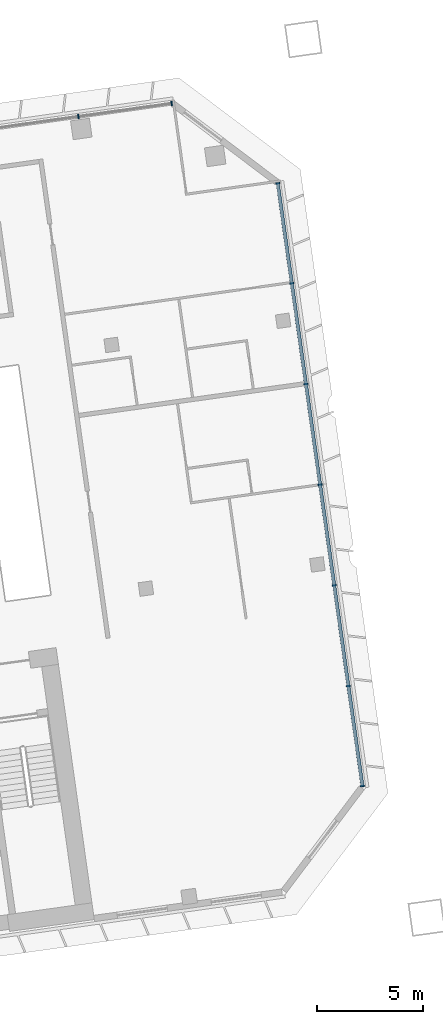
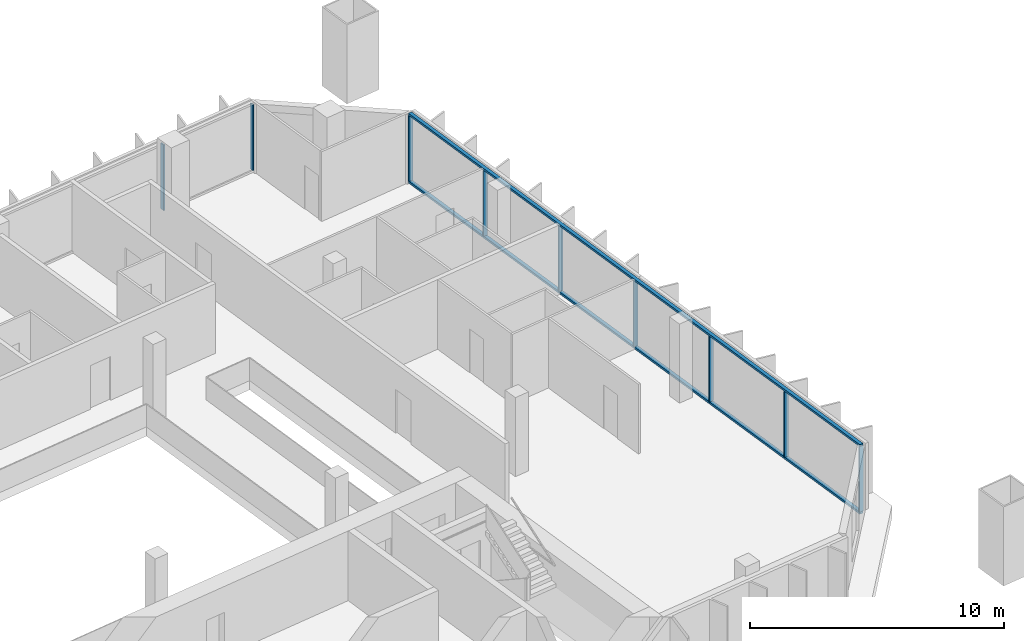
# One storey, part 11 of 26: 11 members, 2 elements without a shape of their own.
"""IFC4 building model written with IfcOpenShell, lengths in metres."""

from ifc_helpers import new_model, si_unit, direction, frame, origin, origin_2d, place, context, subcontext, project, spatial, rectangle, extrude, material, material_profile, profile_set, type_object, element, aggregate, save


model = new_model("IFC4")

# Units and contexts
model_context = context("Model", 3, precision=1e-05, world=origin(), true_north=direction((0.0, 1.0)))
body_context = subcontext(model_context, "Body", "Model", "MODEL_VIEW")
ifc_project = project(units=[si_unit("LENGTHUNIT", "METRE"), si_unit("AREAUNIT", "SQUARE_METRE"), si_unit("VOLUMEUNIT", "CUBIC_METRE"), si_unit("PLANEANGLEUNIT", "RADIAN"), si_unit("MASSUNIT", "GRAM", prefix="KILO")], contexts=[model_context])

# Site, building, storey
site_placement = place(None, origin())
site = spatial("IfcSite", under=ifc_project, at=site_placement, CompositionType="ELEMENT")
building_placement = place(site_placement, origin())
building = spatial("IfcBuilding", under=site, at=building_placement, Name="Mirante Cascada Hotel Towers", CompositionType="ELEMENT")
storey_placement = place(building_placement, frame((0.0, 0.0, 140.5)))
storey = spatial("IfcBuildingStorey", under=building, at=storey_placement, Name="L32", CompositionType="ELEMENT", Elevation=140.5)

# Curtain wall, members
ifc_material_1 = material(Name="Aluminium mullion and transom frame with clear laminated glass", Category="aluminium")
curtain_wall_type_1 = type_object("IfcCurtainWallType", Name="Ribbon curtain wall ECW1", PredefinedType="NOTDEFINED", material=ifc_material_1)
curtain_wall_1_placement = place(storey_placement, origin())
curtain_wall_1 = element("IfcCurtainWall", 1, at=curtain_wall_1_placement, inside=storey, type_object=curtain_wall_type_1, Name="Front ribbon wall T2 L32", PredefinedType="NOTDEFINED")
ifc_material_2 = material(Name="Anodised aluminium extrusion", Category="aluminium")
ifc_material_profile_1 = material_profile(ifc_material_2, rectangle(XDim=0.2, YDim=0.065, at=origin_2d()), Name="ECW1 MULLION 65x200")
ifc_profile_set_1 = profile_set([ifc_material_profile_1], Name="Anodised aluminium extrusion")
member_type_1 = type_object("IfcMemberType", Name="ECW1 mullion 65x200", PredefinedType="MULLION", material=ifc_profile_set_1)
member_1_placement = place(storey_placement, frame((94.126, 26.0476, 0.1), z_axis=(0.0, 0.0, 1.0), x_axis=(0.1391731, -0.9902681, 0.0)))
member_1 = element("IfcMember", 2, at=member_1_placement, type_object=member_type_1, Name="ECW1 mullion 1", PredefinedType="MULLION", context=body_context, shape_type="SweptSolid", body=[
    extrude(rectangle(XDim=0.2, YDim=0.065, at=origin_2d()), origin(), (0.0, 0.0, 1.0), 3.15),
])
member_2_placement = place(storey_placement, frame((89.7107, 25.427, 0.1), z_axis=(0.0, 0.0, 1.0), x_axis=(0.1391731, -0.9902681, 0.0)))
member_2 = element("IfcMember", 3, at=member_2_placement, type_object=member_type_1, Name="ECW1 mullion 2", PredefinedType="MULLION", context=body_context, shape_type="SweptSolid", body=[
    extrude(rectangle(XDim=0.2, YDim=0.065, at=origin_2d()), origin(), (0.0, 0.0, 1.0), 3.15),
])
aggregate(curtain_wall_1, [member_1, member_2])

ifc_material_3 = material(Name="Aluminium mullion and transom frame with clear laminated glass", Category="aluminium")
curtain_wall_type_2 = type_object("IfcCurtainWallType", Name="End ribbon curtain wall ECW2", PredefinedType="NOTDEFINED", material=ifc_material_3)
curtain_wall_2_placement = place(storey_placement, origin())
curtain_wall_2 = element("IfcCurtainWall", 4, at=curtain_wall_2_placement, inside=storey, type_object=curtain_wall_type_2, Name="Outer end wall T2 L32", PredefinedType="NOTDEFINED")
ifc_material_4 = material(Name="Anodised aluminium extrusion", Category="aluminium")
ifc_material_profile_2 = material_profile(ifc_material_4, rectangle(XDim=0.2, YDim=0.065, at=origin_2d()), Name="ECW2 MULLION 65x200")
ifc_profile_set_2 = profile_set([ifc_material_profile_2], Name="Anodised aluminium extrusion")
member_type_2 = type_object("IfcMemberType", Name="ECW2 mullion 65x200", PredefinedType="MULLION", material=ifc_profile_set_2)
member_3_placement = place(storey_placement, frame((103.1556, -6.2656, 0.1), z_axis=(0.0, 0.0, 1.0), x_axis=(-0.9902681, -0.1391731, 0.0)))
member_3 = element("IfcMember", 5, at=member_3_placement, type_object=member_type_2, Name="ECW2 mullion 1", PredefinedType="MULLION", context=body_context, shape_type="SweptSolid", body=[
    extrude(rectangle(XDim=0.2, YDim=0.065, at=origin_2d()), origin(), (0.0, 0.0, 1.0), 3.15),
])
member_4_placement = place(storey_placement, frame((102.4903, -1.532, 0.1), z_axis=(0.0, 0.0, 1.0), x_axis=(-0.9902681, -0.1391731, 0.0)))
member_4 = element("IfcMember", 6, at=member_4_placement, type_object=member_type_2, Name="ECW2 mullion 2", PredefinedType="MULLION", context=body_context, shape_type="SweptSolid", body=[
    extrude(rectangle(XDim=0.2, YDim=0.065, at=origin_2d()), origin(), (0.0, 0.0, 1.0), 3.15),
])
member_5_placement = place(storey_placement, frame((101.8205, 3.2338, 0.1), z_axis=(0.0, 0.0, 1.0), x_axis=(-0.9902681, -0.1391731, 0.0)))
member_5 = element("IfcMember", 7, at=member_5_placement, type_object=member_type_2, Name="ECW2 mullion 3", PredefinedType="MULLION", context=body_context, shape_type="SweptSolid", body=[
    extrude(rectangle(XDim=0.2, YDim=0.065, at=origin_2d()), origin(), (0.0, 0.0, 1.0), 3.15),
])
member_6_placement = place(storey_placement, frame((101.1508, 7.9996, 0.1), z_axis=(0.0, 0.0, 1.0), x_axis=(-0.9902681, -0.1391731, 0.0)))
member_6 = element("IfcMember", 8, at=member_6_placement, type_object=member_type_2, Name="ECW2 mullion 4", PredefinedType="MULLION", context=body_context, shape_type="SweptSolid", body=[
    extrude(rectangle(XDim=0.2, YDim=0.065, at=origin_2d()), origin(), (0.0, 0.0, 1.0), 3.15),
])
member_7_placement = place(storey_placement, frame((100.481, 12.7654, 0.1), z_axis=(0.0, 0.0, 1.0), x_axis=(-0.9902681, -0.1391731, 0.0)))
member_7 = element("IfcMember", 9, at=member_7_placement, type_object=member_type_2, Name="ECW2 mullion 5", PredefinedType="MULLION", context=body_context, shape_type="SweptSolid", body=[
    extrude(rectangle(XDim=0.2, YDim=0.065, at=origin_2d()), origin(), (0.0, 0.0, 1.0), 3.15),
])
member_8_placement = place(storey_placement, frame((99.8112, 17.5312, 0.1), z_axis=(0.0, 0.0, 1.0), x_axis=(-0.9902681, -0.1391731, 0.0)))
member_8 = element("IfcMember", 10, at=member_8_placement, type_object=member_type_2, Name="ECW2 mullion 6", PredefinedType="MULLION", context=body_context, shape_type="SweptSolid", body=[
    extrude(rectangle(XDim=0.2, YDim=0.065, at=origin_2d()), origin(), (0.0, 0.0, 1.0), 3.15),
])
member_9_placement = place(storey_placement, frame((99.1459, 22.2648, 0.1), z_axis=(0.0, 0.0, 1.0), x_axis=(-0.9902681, -0.1391731, 0.0)))
member_9 = element("IfcMember", 11, at=member_9_placement, type_object=member_type_2, Name="ECW2 mullion 7", PredefinedType="MULLION", context=body_context, shape_type="SweptSolid", body=[
    extrude(rectangle(XDim=0.2, YDim=0.065, at=origin_2d()), origin(), (0.0, 0.0, 1.0), 3.15),
])
ifc_material_5 = material(Name="Anodised aluminium extrusion", Category="aluminium")
ifc_material_profile_3 = material_profile(ifc_material_5, rectangle(XDim=0.16, YDim=0.1, at=origin_2d()), Name="ECW2 TRANSOM 100x160")
ifc_profile_set_3 = profile_set([ifc_material_profile_3], Name="Anodised aluminium extrusion")
member_type_3 = type_object("IfcMemberType", Name="ECW2 transom 100x160", PredefinedType="USERDEFINED", material=ifc_profile_set_3)
member_10_placement = place(storey_placement, frame((103.1601, -6.2978, 0.05), z_axis=(-0.1391723, 0.9902682, 0.0), x_axis=(-0.9902682, -0.1391723, 0.0)))
member_10 = element("IfcMember", 12, at=member_10_placement, type_object=member_type_3, Name="ECW2 sill transom", ObjectType="TRANSOM", PredefinedType="USERDEFINED", context=body_context, shape_type="SweptSolid", body=[
    extrude(rectangle(XDim=0.16, YDim=0.1, at=origin_2d()), origin(), (0.0, 0.0, 1.0), 28.8757),
])
member_11_placement = place(storey_placement, frame((103.1601, -6.2978, 3.3), z_axis=(-0.1391723, 0.9902682, 0.0), x_axis=(-0.9902682, -0.1391723, 0.0)))
member_11 = element("IfcMember", 13, at=member_11_placement, type_object=member_type_3, Name="ECW2 head transom", ObjectType="TRANSOM", PredefinedType="USERDEFINED", context=body_context, shape_type="SweptSolid", body=[
    extrude(rectangle(XDim=0.16, YDim=0.1, at=origin_2d()), origin(), (0.0, 0.0, 1.0), 28.8757),
])
aggregate(curtain_wall_2, [member_10, member_11, member_3, member_4, member_5, member_6, member_7, member_8, member_9])

save(model, "model.ifc")
